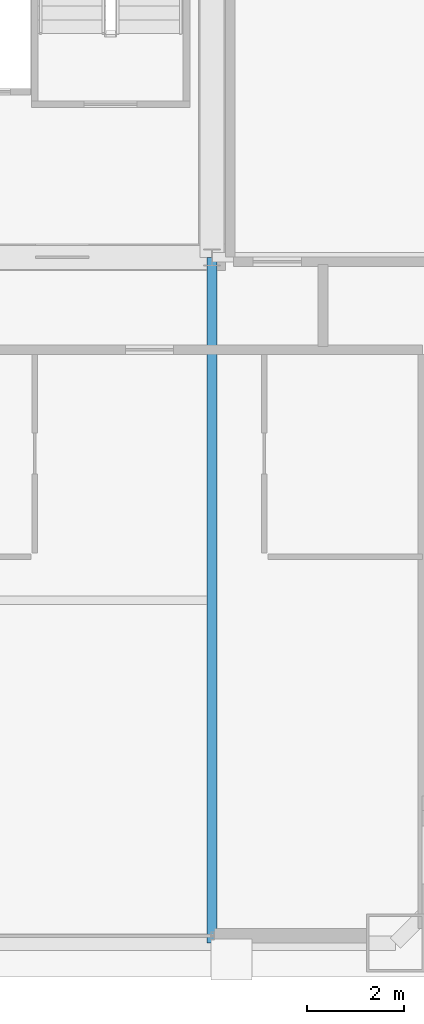
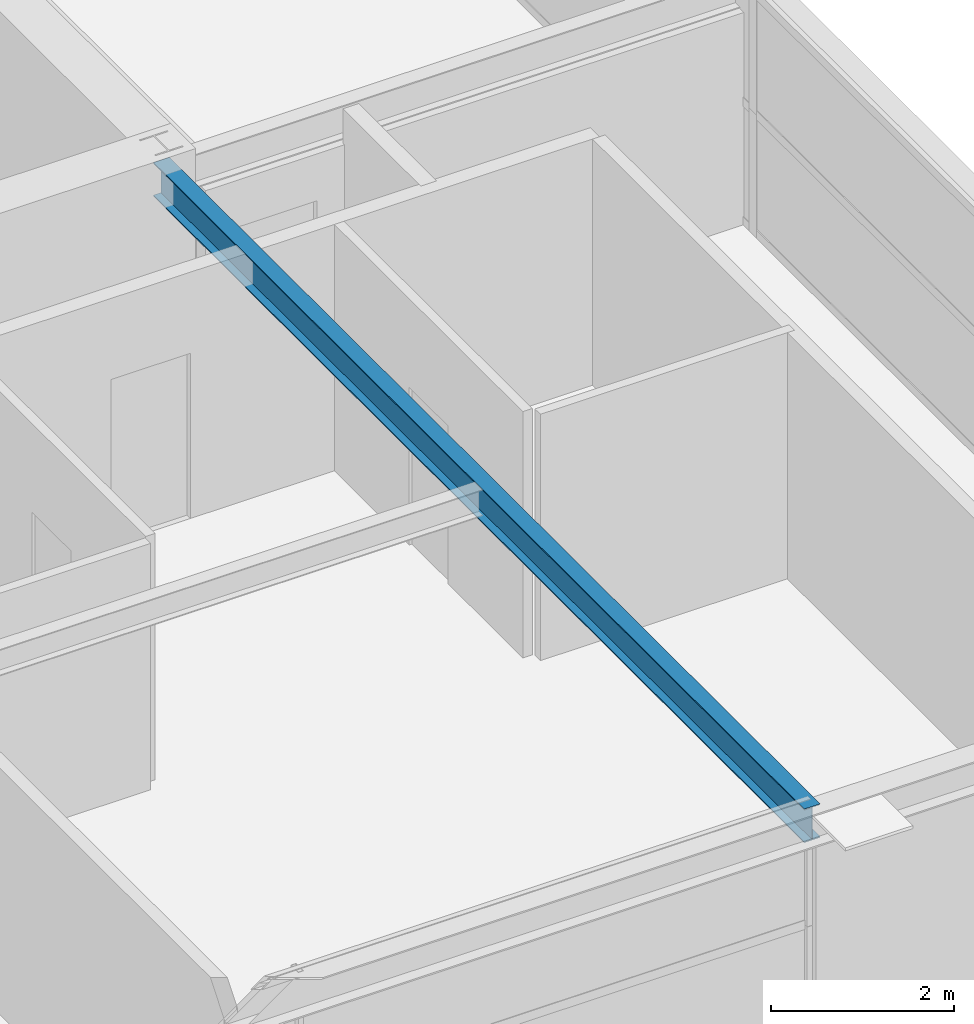
# One storey, part 17 of 37: 1 beam.
"""IFC4 building model written with IfcOpenShell, lengths in metres."""

from ifc_helpers import new_model, si_unit, direction, frame, origin, origin_2d, place, context, subcontext, project, spatial, i_section, extrude, source, transform, mapped, material, material_profile, profile_set, type_object, element, save


model = new_model("IFC4")

# Units and contexts
model_context = context("Model", 3, precision=1e-05, world=origin(), true_north=direction((0.0, 1.0)))
body_context = subcontext(model_context, "Body", "Model", "MODEL_VIEW")
ifc_project = project(units=[si_unit("LENGTHUNIT", "METRE"), si_unit("AREAUNIT", "SQUARE_METRE"), si_unit("VOLUMEUNIT", "CUBIC_METRE"), si_unit("PLANEANGLEUNIT", "RADIAN"), si_unit("MASSUNIT", "GRAM", prefix="KILO"), si_unit("THERMODYNAMICTEMPERATUREUNIT", "KELVIN"), si_unit("POWERUNIT", "WATT")], contexts=[model_context])

# Site, building, storey
site_placement = place(None, origin())
site = spatial("IfcSite", under=ifc_project, at=site_placement, CompositionType="ELEMENT")
building_placement = place(site_placement, origin())
building = spatial("IfcBuilding", under=site, at=building_placement, Name="Yuzanri Waterfront Tower", CompositionType="ELEMENT")
storey_placement = place(building_placement, frame((0.0, 0.0, 275.10009765625)))
storey = spatial("IfcBuildingStorey", under=building, at=storey_placement, Name="L73", CompositionType="ELEMENT", Elevation=275.10009765625)

# Beam
ifc_material = material(Name="Steel Q355B", Category="steel")
ifc_material_profile = material_profile(ifc_material, i_section(OverallWidth=0.199951171875, OverallDepth=0.449951171875, WebThickness=0.009033203125, FlangeThickness=0.013916015625, at=origin_2d()), Name="HN 450x200x9x14")
ifc_profile_set = profile_set([ifc_material_profile], Name="Steel Q355B")
beam_type = type_object("IfcBeamType", Name="Secondary Floor Beam Q355B HN 450x200", PredefinedType="BEAM", material=ifc_profile_set)
shared_shape = source(origin(), body_context, "Body", "SweptSolid", [
    extrude(i_section(OverallWidth=0.199951171875, OverallDepth=0.449951171875, WebThickness=0.009033203125, FlangeThickness=0.013916015625, at=origin_2d()), origin(), (0.0, 0.0, 1.0), 14.199951171875),
])
beam_placement = place(storey_placement, frame((50.199951171875, 19.39990234375, 3.054931640625), z_axis=(0.0, -1.0, 0.0), x_axis=(1.0, 0.0, 0.0)))
element("IfcBeam", 1, at=beam_placement, inside=storey, type_object=beam_type, Name="L73 South-East Core Line Beam", PredefinedType="BEAM", context=body_context, shape_type="MappedRepresentation", body=[
    mapped(shared_shape, transform((0.0, 0.0, 0.0), scale=1.0)),
])

save(model, "model.ifc")
